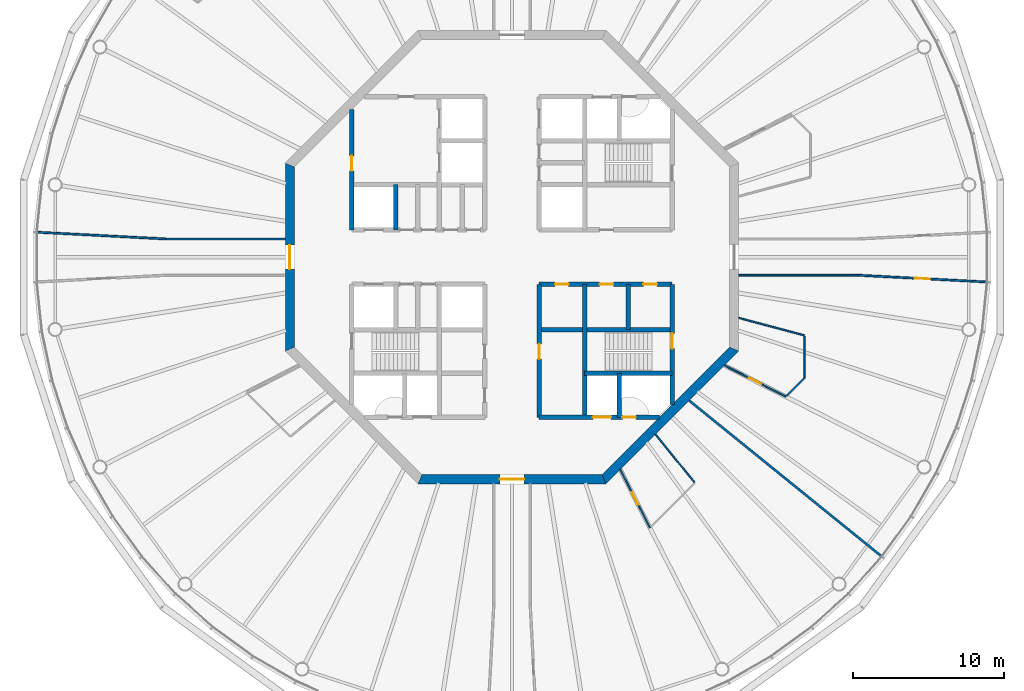
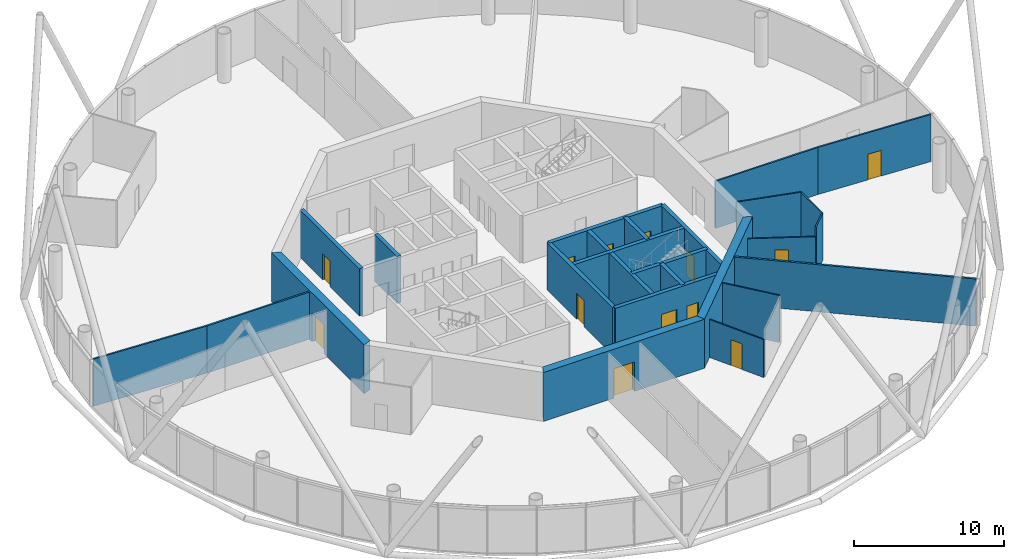
# One storey, part 4 of 13: 25 walls, 13 doors, 13 openings.
"""IFC4 building model written with IfcOpenShell, lengths in metres."""

from ifc_helpers import new_model, si_unit, direction, frame, frame_2d, origin, place, context, subcontext, project, spatial, polyline, rectangle, outline, extrude, material, layer, layer_set, type_object, element, fill, save


model = new_model("IFC4")

# Units and contexts
model_context = context("Model", 3, precision=1e-05, world=origin(), true_north=direction((0.0, 1.0)))
body_context = subcontext(model_context, "Body", "Model", "MODEL_VIEW")
ifc_project = project(units=[si_unit("LENGTHUNIT", "METRE"), si_unit("AREAUNIT", "SQUARE_METRE"), si_unit("VOLUMEUNIT", "CUBIC_METRE"), si_unit("PLANEANGLEUNIT", "RADIAN"), si_unit("MASSUNIT", "GRAM", prefix="KILO")], contexts=[model_context])

# Site, building, storey
site_placement = place(None, origin())
site = spatial("IfcSite", under=ifc_project, at=site_placement, CompositionType="ELEMENT")
building_placement = place(site_placement, origin())
building = spatial("IfcBuilding", under=site, at=building_placement, Name="Entoto Ring Tower", CompositionType="ELEMENT")
storey_placement = place(building_placement, frame((0.0, 0.0, 356.0)))
storey = spatial("IfcBuildingStorey", under=building, at=storey_placement, Name="L82", CompositionType="ELEMENT", Elevation=356.0)

# Wall, opening, door
ifc_material_1 = material(Name="Concrete C40/50", Category="concrete")
ifc_layer_1 = layer(ifc_material_1, 0.300048828125)
ifc_layer_set_1 = layer_set([ifc_layer_1], Name="Concrete C40/50")
wall_type_1 = type_object("IfcWallType", Name="Core enclosure wall 300 mm reinforced concrete", PredefinedType="SOLIDWALL", material=ifc_layer_set_1)
wall_1_placement = place(storey_placement, frame((100.60009765625, 70.2353515625, 0.0), z_axis=(0.0, 0.0, 1.0), x_axis=(0.0, 1.0, 0.0)))
wall_1 = element("IfcWall", 1, at=wall_1_placement, inside=storey, type_object=wall_type_1, Name="wall-L82-001", PredefinedType="SOLIDWALL", context=body_context, shape_type="SweptSolid", body=[
    extrude(rectangle(XDim=7.964599609375, YDim=0.300048828125, at=frame_2d((3.982421875, 0.0))), origin(), (0.0, 0.0, 1.0), 3.85009765625),
])
opening_1_placement = place(wall_1_placement, frame((3.714599609375, 0.0, 0.0)))
opening_1 = element("IfcOpeningElement", 2, at=opening_1_placement, cuts=wall_1, Name="Opening K-28", PredefinedType="OPENING", context=body_context, shape_type="SweptSolid", body=[
    extrude(rectangle(XDim=1.0, YDim=2.10009765625, at=frame_2d((0.5, 1.050048828125))), frame((0.0, 0.16015625, 0.0), z_axis=(0.0, -1.0, 0.0), x_axis=(1.0, 0.0, 0.0)), (0.0, 0.0, 1.0), 0.320068359375),
])
ifc_material_2 = material(Name="Steel door leaf, fire rated", Category="steel")
ifc_layer_2 = layer(ifc_material_2, 0.050048828125)
ifc_layer_set_2 = layer_set([ifc_layer_2], Name="Steel door leaf, fire rated")
door_type_1 = type_object("IfcDoorType", Name="Fire door FD60 1000 x 2100 single leaf", OperationType="NOTDEFINED", PredefinedType="DOOR", material=ifc_layer_set_2)
door_1_placement = place(opening_1_placement, origin())
door_1 = element("IfcDoor", 3, at=door_1_placement, inside=storey, type_object=door_type_1, Name="Door K-28", OperationType="SINGLE_SWING_RIGHT", OverallHeight=2.10009765625, OverallWidth=1.0, PredefinedType="DOOR", context=body_context, shape_type="SweptSolid", body=[
    extrude(rectangle(XDim=1.0, YDim=2.10009765625, at=frame_2d((0.5, 1.050048828125))), frame((0.0, 0.02490234375, 0.0), z_axis=(0.0, -1.0, 0.0), x_axis=(1.0, 0.0, 0.0)), (0.0, 0.0, 1.0), 0.050048828125),
])
fill(opening_1, door_1)

# Walls
wall_2_placement = place(storey_placement, frame((97.699951171875, 75.199951171875, 0.0), z_axis=(0.0, 0.0, 1.0), x_axis=(0.0, 1.0, 0.0)))
element("IfcWall", 4, at=wall_2_placement, inside=storey, type_object=wall_type_1, Name="wall-L82-003", PredefinedType="SOLIDWALL", context=body_context, shape_type="SweptSolid", body=[
    extrude(rectangle(XDim=3.0, YDim=0.300048828125, at=frame_2d((1.5, 0.0))), origin(), (0.0, 0.0, 1.0), 3.85009765625),
])
wall_3_placement = place(storey_placement, frame((97.10009765625, 69.39990234375, 0.0), z_axis=(0.0, 0.0, 1.0), x_axis=(0.0, 1.0, 0.0)))
element("IfcWall", 5, at=wall_3_placement, inside=storey, type_object=wall_type_1, Name="wall-L82-004", PredefinedType="SOLIDWALL", context=body_context, shape_type="SweptSolid", body=[
    extrude(rectangle(XDim=2.900146484375, YDim=0.300048828125, at=frame_2d((1.4501953125, 0.0))), origin(), (0.0, 0.0, 1.0), 3.85009765625),
])
wall_4_placement = place(storey_placement, frame((94.800048828125, 69.39990234375, 0.0), z_axis=(0.0, 0.0, 1.0), x_axis=(0.0, 1.0, 0.0)))
element("IfcWall", 6, at=wall_4_placement, inside=storey, type_object=wall_type_1, Name="wall-L82-006", PredefinedType="SOLIDWALL", context=body_context, shape_type="SweptSolid", body=[
    extrude(rectangle(XDim=8.800048828125, YDim=0.300048828125, at=frame_2d((4.39990234375, 0.0))), origin(), (0.0, 0.0, 1.0), 3.85009765625),
])

# Wall, opening, door
wall_5_placement = place(storey_placement, frame((91.800048828125, 69.39990234375, 0.0), z_axis=(0.0, 0.0, 1.0), x_axis=(0.0, 1.0, 0.0)))
wall_5 = element("IfcWall", 7, at=wall_5_placement, inside=storey, type_object=wall_type_1, Name="wall-L82-008", PredefinedType="SOLIDWALL", context=body_context, shape_type="SweptSolid", body=[
    extrude(rectangle(XDim=8.800048828125, YDim=0.300048828125, at=frame_2d((4.39990234375, 0.0))), origin(), (0.0, 0.0, 1.0), 3.85009765625),
])
opening_2_placement = place(wall_5_placement, frame((3.85009765625, 0.0, 0.0)))
opening_2 = element("IfcOpeningElement", 8, at=opening_2_placement, cuts=wall_5, Name="Opening K-64", PredefinedType="OPENING", context=body_context, shape_type="SweptSolid", body=[
    extrude(rectangle(XDim=1.0, YDim=2.10009765625, at=frame_2d((0.5, 1.050048828125))), frame((0.0, 0.16015625, 0.0), z_axis=(0.0, -1.0, 0.0), x_axis=(1.0, 0.0, 0.0)), (0.0, 0.0, 1.0), 0.320068359375),
])
ifc_material_3 = material(Name="Steel door leaf, fire rated", Category="steel")
ifc_layer_3 = layer(ifc_material_3, 0.050048828125)
ifc_layer_set_3 = layer_set([ifc_layer_3], Name="Steel door leaf, fire rated")
door_type_2 = type_object("IfcDoorType", Name="Accessible door 1000 x 2100 single leaf", OperationType="NOTDEFINED", PredefinedType="DOOR", material=ifc_layer_set_3)
door_2_placement = place(opening_2_placement, frame((1.0, 0.0, 0.0), z_axis=(0.0, 0.0, 1.0), x_axis=(-1.0, 0.0, 0.0)))
door_2 = element("IfcDoor", 9, at=door_2_placement, inside=storey, type_object=door_type_2, Name="Door K-64", OperationType="SINGLE_SWING_LEFT", OverallHeight=2.10009765625, OverallWidth=1.0, PredefinedType="DOOR", context=body_context, shape_type="SweptSolid", body=[
    extrude(rectangle(XDim=1.0, YDim=2.10009765625, at=frame_2d((0.5, 1.050048828125))), frame((0.0, 0.02490234375, 0.0), z_axis=(0.0, -1.0, 0.0), x_axis=(1.0, 0.0, 0.0)), (0.0, 0.0, 1.0), 0.050048828125),
])
fill(opening_2, door_2)

# Wall
wall_6_placement = place(storey_placement, frame((82.300048828125, 81.800048828125, 0.0), z_axis=(0.0, 0.0, 1.0), x_axis=(0.0, 1.0, 0.0)))
element("IfcWall", 10, at=wall_6_placement, inside=storey, type_object=wall_type_1, Name="wall-L82-019", PredefinedType="SOLIDWALL", context=body_context, shape_type="SweptSolid", body=[
    extrude(rectangle(XDim=3.0, YDim=0.300048828125, at=frame_2d((1.5, 0.0))), origin(), (0.0, 0.0, 1.0), 3.85009765625),
])

# Wall, opening, door
wall_7_placement = place(storey_placement, frame((79.39990234375, 81.800048828125, 0.0), z_axis=(0.0, 0.0, 1.0), x_axis=(0.0, 1.0, 0.0)))
wall_7 = element("IfcWall", 11, at=wall_7_placement, inside=storey, type_object=wall_type_1, Name="wall-L82-021", PredefinedType="SOLIDWALL", context=body_context, shape_type="SweptSolid", body=[
    extrude(rectangle(XDim=7.964599609375, YDim=0.300048828125, at=frame_2d((3.982421875, 0.0))), origin(), (0.0, 0.0, 1.0), 3.85009765625),
])
opening_3_placement = place(wall_7_placement, frame((3.89990234375, 0.0, 0.0)))
opening_3 = element("IfcOpeningElement", 12, at=opening_3_placement, cuts=wall_7, Name="Opening K-86", PredefinedType="OPENING", context=body_context, shape_type="SweptSolid", body=[
    extrude(rectangle(XDim=1.0, YDim=2.10009765625, at=frame_2d((0.5, 1.050048828125))), frame((0.0, 0.16015625, 0.0), z_axis=(0.0, -1.0, 0.0), x_axis=(1.0, 0.0, 0.0)), (0.0, 0.0, 1.0), 0.320068359375),
])
door_3_placement = place(opening_3_placement, frame((1.0, 0.0, 0.0), z_axis=(0.0, 0.0, 1.0), x_axis=(-1.0, 0.0, 0.0)))
door_3 = element("IfcDoor", 13, at=door_3_placement, inside=storey, type_object=door_type_1, Name="Door K-86", OperationType="SINGLE_SWING_RIGHT", OverallHeight=2.10009765625, OverallWidth=1.0, PredefinedType="DOOR", context=body_context, shape_type="SweptSolid", body=[
    extrude(rectangle(XDim=1.0, YDim=2.10009765625, at=frame_2d((0.5, 1.050048828125))), frame((0.0, 0.02490234375, 0.0), z_axis=(0.0, -1.0, 0.0), x_axis=(1.0, 0.0, 0.0)), (0.0, 0.0, 1.0), 0.050048828125),
])
fill(opening_3, door_3)

# Wall, openings, doors
wall_8_placement = place(storey_placement, frame((91.800048828125, 69.39990234375, 0.0), z_axis=(0.0, 0.0, 1.0), x_axis=(1.0, 0.0, 0.0)))
wall_8 = element("IfcWall", 14, at=wall_8_placement, inside=storey, type_object=wall_type_1, Name="wall-L82-023", PredefinedType="SOLIDWALL", context=body_context, shape_type="SweptSolid", body=[
    extrude(rectangle(XDim=7.964599609375, YDim=0.300048828125, at=frame_2d((3.982421875, 0.0))), origin(), (0.0, 0.0, 1.0), 3.85009765625),
])
opening_4_placement = place(wall_8_placement, frame((3.550048828125, 0.0, 0.0)))
opening_4 = element("IfcOpeningElement", 15, at=opening_4_placement, cuts=wall_8, Name="Opening LD", PredefinedType="OPENING", context=body_context, shape_type="SweptSolid", body=[
    extrude(rectangle(XDim=1.199951171875, YDim=2.10009765625, at=frame_2d((0.60009765625, 1.050048828125))), frame((0.0, 0.16015625, 0.0), z_axis=(0.0, -1.0, 0.0), x_axis=(1.0, 0.0, 0.0)), (0.0, 0.0, 1.0), 0.320068359375),
])
opening_5_placement = place(wall_8_placement, frame((5.5, 0.0, 0.0)))
opening_5 = element("IfcOpeningElement", 16, at=opening_5_placement, cuts=wall_8, Name="Opening K-85", PredefinedType="OPENING", context=body_context, shape_type="SweptSolid", body=[
    extrude(rectangle(XDim=0.89990234375, YDim=2.10009765625, at=frame_2d((0.449951171875, 1.050048828125))), frame((0.0, 0.16015625, 0.0), z_axis=(0.0, -1.0, 0.0), x_axis=(1.0, 0.0, 0.0)), (0.0, 0.0, 1.0), 0.320068359375),
])
ifc_material_4 = material(Name="Steel and glass door leaf", Category="steel")
ifc_layer_4 = layer(ifc_material_4, 0.050048828125)
ifc_layer_set_4 = layer_set([ifc_layer_4], Name="Steel and glass door leaf")
door_type_3 = type_object("IfcDoorType", Name="Landing door 1200 x 2100 sliding", OperationType="DOUBLE_DOOR_SLIDING", PredefinedType="DOOR", material=ifc_layer_set_4)
door_4_placement = place(opening_4_placement, origin())
door_4 = element("IfcDoor", 17, at=door_4_placement, inside=storey, type_object=door_type_3, Name="Landing door LB2-HR", OperationType="SLIDING_TO_RIGHT", OverallHeight=2.10009765625, OverallWidth=1.199951171875, PredefinedType="DOOR", context=body_context, shape_type="SweptSolid", body=[
    extrude(rectangle(XDim=1.199951171875, YDim=2.10009765625, at=frame_2d((0.60009765625, 1.050048828125))), frame((0.0, 0.02490234375, 0.0), z_axis=(0.0, -1.0, 0.0), x_axis=(1.0, 0.0, 0.0)), (0.0, 0.0, 1.0), 0.050048828125),
])
fill(opening_4, door_4)
ifc_material_5 = material(Name="Steel door leaf, fire rated", Category="steel")
ifc_layer_5 = layer(ifc_material_5, 0.050048828125)
ifc_layer_set_5 = layer_set([ifc_layer_5], Name="Steel door leaf, fire rated")
door_type_4 = type_object("IfcDoorType", Name="Riser door FD60 900 x 2100 single leaf", OperationType="NOTDEFINED", PredefinedType="DOOR", material=ifc_layer_set_5)
door_5_placement = place(opening_5_placement, origin())
door_5 = element("IfcDoor", 18, at=door_5_placement, inside=storey, type_object=door_type_4, Name="Door K-85", OperationType="SINGLE_SWING_LEFT", OverallHeight=2.10009765625, OverallWidth=0.89990234375, PredefinedType="DOOR", context=body_context, shape_type="SweptSolid", body=[
    extrude(rectangle(XDim=0.89990234375, YDim=2.10009765625, at=frame_2d((0.449951171875, 1.050048828125))), frame((0.0, 0.02490234375, 0.0), z_axis=(0.0, -1.0, 0.0), x_axis=(1.0, 0.0, 0.0)), (0.0, 0.0, 1.0), 0.050048828125),
])
fill(opening_5, door_5)

# Walls
wall_9_placement = place(storey_placement, frame((94.800048828125, 72.300048828125, 0.0), z_axis=(0.0, 0.0, 1.0), x_axis=(1.0, 0.0, 0.0)))
element("IfcWall", 19, at=wall_9_placement, inside=storey, type_object=wall_type_1, Name="wall-L82-025", PredefinedType="SOLIDWALL", context=body_context, shape_type="SweptSolid", body=[
    extrude(rectangle(XDim=5.800048828125, YDim=0.300048828125, at=frame_2d((2.89990234375, 0.0))), origin(), (0.0, 0.0, 1.0), 3.85009765625),
])
wall_10_placement = place(storey_placement, frame((91.800048828125, 75.199951171875, 0.0), z_axis=(0.0, 0.0, 1.0), x_axis=(1.0, 0.0, 0.0)))
element("IfcWall", 20, at=wall_10_placement, inside=storey, type_object=wall_type_1, Name="wall-L82-027", PredefinedType="SOLIDWALL", context=body_context, shape_type="SweptSolid", body=[
    extrude(rectangle(XDim=8.800048828125, YDim=0.300048828125, at=frame_2d((4.39990234375, 0.0))), origin(), (0.0, 0.0, 1.0), 3.85009765625),
])

# Wall, openings, doors
wall_11_placement = place(storey_placement, frame((91.800048828125, 78.199951171875, 0.0), z_axis=(0.0, 0.0, 1.0), x_axis=(1.0, 0.0, 0.0)))
wall_11 = element("IfcWall", 21, at=wall_11_placement, inside=storey, type_object=wall_type_1, Name="wall-L82-029", PredefinedType="SOLIDWALL", context=body_context, shape_type="SweptSolid", body=[
    extrude(rectangle(XDim=8.800048828125, YDim=0.300048828125, at=frame_2d((4.39990234375, 0.0))), origin(), (0.0, 0.0, 1.0), 3.85009765625),
])
opening_6_placement = place(wall_11_placement, frame((4.0, 0.0, 0.0)))
opening_6 = element("IfcOpeningElement", 22, at=opening_6_placement, cuts=wall_11, Name="Opening K-14", PredefinedType="OPENING", context=body_context, shape_type="SweptSolid", body=[
    extrude(rectangle(XDim=0.89990234375, YDim=2.10009765625, at=frame_2d((0.449951171875, 1.050048828125))), frame((0.0, 0.16015625, 0.0), z_axis=(0.0, -1.0, 0.0), x_axis=(1.0, 0.0, 0.0)), (0.0, 0.0, 1.0), 0.320068359375),
])
opening_7_placement = place(wall_11_placement, frame((6.89990234375, 0.0, 0.0)))
opening_7 = element("IfcOpeningElement", 23, at=opening_7_placement, cuts=wall_11, Name="Opening K-15", PredefinedType="OPENING", context=body_context, shape_type="SweptSolid", body=[
    extrude(rectangle(XDim=0.89990234375, YDim=2.10009765625, at=frame_2d((0.449951171875, 1.050048828125))), frame((0.0, 0.16015625, 0.0), z_axis=(0.0, -1.0, 0.0), x_axis=(1.0, 0.0, 0.0)), (0.0, 0.0, 1.0), 0.320068359375),
])
opening_8_placement = place(wall_11_placement, frame((1.050048828125, 0.0, 0.0)))
opening_8 = element("IfcOpeningElement", 24, at=opening_8_placement, cuts=wall_11, Name="Opening K-25", PredefinedType="OPENING", context=body_context, shape_type="SweptSolid", body=[
    extrude(rectangle(XDim=0.89990234375, YDim=2.10009765625, at=frame_2d((0.449951171875, 1.050048828125))), frame((0.0, 0.16015625, 0.0), z_axis=(0.0, -1.0, 0.0), x_axis=(1.0, 0.0, 0.0)), (0.0, 0.0, 1.0), 0.320068359375),
])
ifc_material_6 = material(Name="Steel door leaf, fire rated", Category="steel")
ifc_layer_6 = layer(ifc_material_6, 0.050048828125)
ifc_layer_set_6 = layer_set([ifc_layer_6], Name="Steel door leaf, fire rated")
door_type_5 = type_object("IfcDoorType", Name="Core door 900 x 2100 single leaf", OperationType="NOTDEFINED", PredefinedType="DOOR", material=ifc_layer_set_6)
door_6_placement = place(opening_6_placement, frame((0.89990234375, 0.0, 0.0), z_axis=(0.0, 0.0, 1.0), x_axis=(-1.0, 0.0, 0.0)))
door_6 = element("IfcDoor", 25, at=door_6_placement, inside=storey, type_object=door_type_5, Name="Door K-14", OperationType="SINGLE_SWING_RIGHT", OverallHeight=2.10009765625, OverallWidth=0.89990234375, PredefinedType="DOOR", context=body_context, shape_type="SweptSolid", body=[
    extrude(rectangle(XDim=0.89990234375, YDim=2.10009765625, at=frame_2d((0.449951171875, 1.050048828125))), frame((0.0, 0.02490234375, 0.0), z_axis=(0.0, -1.0, 0.0), x_axis=(1.0, 0.0, 0.0)), (0.0, 0.0, 1.0), 0.050048828125),
])
fill(opening_6, door_6)
door_7_placement = place(opening_7_placement, frame((0.89990234375, 0.0, 0.0), z_axis=(0.0, 0.0, 1.0), x_axis=(-1.0, 0.0, 0.0)))
door_7 = element("IfcDoor", 26, at=door_7_placement, inside=storey, type_object=door_type_5, Name="Door K-15", OperationType="SINGLE_SWING_LEFT", OverallHeight=2.10009765625, OverallWidth=0.89990234375, PredefinedType="DOOR", context=body_context, shape_type="SweptSolid", body=[
    extrude(rectangle(XDim=0.89990234375, YDim=2.10009765625, at=frame_2d((0.449951171875, 1.050048828125))), frame((0.0, 0.02490234375, 0.0), z_axis=(0.0, -1.0, 0.0), x_axis=(1.0, 0.0, 0.0)), (0.0, 0.0, 1.0), 0.050048828125),
])
fill(opening_7, door_7)
door_8_placement = place(opening_8_placement, frame((0.89990234375, 0.0, 0.0), z_axis=(0.0, 0.0, 1.0), x_axis=(-1.0, 0.0, 0.0)))
door_8 = element("IfcDoor", 27, at=door_8_placement, inside=storey, type_object=door_type_5, Name="Door K-25", OperationType="SINGLE_SWING_RIGHT", OverallHeight=2.10009765625, OverallWidth=0.89990234375, PredefinedType="DOOR", context=body_context, shape_type="SweptSolid", body=[
    extrude(rectangle(XDim=0.89990234375, YDim=2.10009765625, at=frame_2d((0.449951171875, 1.050048828125))), frame((0.0, 0.02490234375, 0.0), z_axis=(0.0, -1.0, 0.0), x_axis=(1.0, 0.0, 0.0)), (0.0, 0.0, 1.0), 0.050048828125),
])
fill(opening_8, door_8)

# Wall, opening, door
ifc_material_7 = material(Name="Concrete C40/50", Category="concrete")
ifc_layer_7 = layer(ifc_material_7, 0.60009765625)
ifc_layer_set_7 = layer_set([ifc_layer_7], Name="Concrete C40/50")
wall_type_2 = type_object("IfcWallType", Name="Core shear wall 600 mm reinforced concrete C40/50", PredefinedType="SHEAR", material=ifc_layer_set_7)
wall_12_placement = place(storey_placement, frame((75.300048828125, 86.0888671875, 0.0), z_axis=(0.0, 0.0, 1.0), x_axis=(0.0, -1.0, 0.0)))
wall_12 = element("IfcWall", 28, at=wall_12_placement, inside=storey, type_object=wall_type_2, Name="wall-L82-core-4", PredefinedType="SHEAR", context=body_context, shape_type="SweptSolid", body=[
    extrude(outline(polyline([(-0.124267578125, -0.300048828125), (12.302001953125, -0.300048828125), (12.053466796875, 0.300048828125), (0.124267578125, 0.300048828125), (-0.124267578125, -0.300048828125)])), origin(), (0.0, 0.0, 1.0), 4.0),
])
opening_9_placement = place(wall_12_placement, frame((5.288818359375, 0.0, 0.0)))
opening_9 = element("IfcOpeningElement", 29, at=opening_9_placement, cuts=wall_12, Name="Opening K-03", PredefinedType="OPENING", context=body_context, shape_type="SweptSolid", body=[
    extrude(rectangle(XDim=1.60009765625, YDim=2.39990234375, at=frame_2d((0.800048828125, 1.199951171875))), frame((0.0, 0.31005859375, 0.0), z_axis=(0.0, -1.0, 0.0), x_axis=(1.0, 0.0, 0.0)), (0.0, 0.0, 1.0), 0.6201171875),
])
ifc_material_8 = material(Name="Steel door leaf, fire rated", Category="steel")
ifc_layer_8 = layer(ifc_material_8, 0.050048828125)
ifc_layer_set_8 = layer_set([ifc_layer_8], Name="Steel door leaf, fire rated")
door_type_6 = type_object("IfcDoorType", Name="Entrance door FD60 1600 x 2400 double leaf", OperationType="DOUBLE_DOOR_SINGLE_SWING", PredefinedType="DOOR", material=ifc_layer_set_8)
door_9_placement = place(opening_9_placement, origin())
door_9 = element("IfcDoor", 30, at=door_9_placement, inside=storey, type_object=door_type_6, Name="Entrance door K-03", OperationType="DOUBLE_DOOR_SINGLE_SWING", OverallHeight=2.39990234375, OverallWidth=1.60009765625, PredefinedType="DOOR", context=body_context, shape_type="SweptSolid", body=[
    extrude(rectangle(XDim=1.60009765625, YDim=2.39990234375, at=frame_2d((0.800048828125, 1.199951171875))), frame((0.0, 0.02490234375, 0.0), z_axis=(0.0, -1.0, 0.0), x_axis=(1.0, 0.0, 0.0)), (0.0, 0.0, 1.0), 0.050048828125),
])
fill(opening_9, door_9)

wall_13_placement = place(storey_placement, frame((83.9111328125, 65.300048828125, 0.0), z_axis=(0.0, 0.0, 1.0), x_axis=(1.0, 0.0, 0.0)))
wall_13 = element("IfcWall", 31, at=wall_13_placement, inside=storey, type_object=wall_type_2, Name="wall-L82-core-6", PredefinedType="SHEAR", context=body_context, shape_type="SweptSolid", body=[
    extrude(outline(polyline([(-0.124267578125, -0.300048828125), (12.302001953125, -0.300048828125), (12.053466796875, 0.300048828125), (0.124267578125, 0.300048828125), (-0.124267578125, -0.300048828125)])), origin(), (0.0, 0.0, 1.0), 4.0),
])
opening_10_placement = place(wall_13_placement, frame((5.288818359375, 0.0, 0.0)))
opening_10 = element("IfcOpeningElement", 32, at=opening_10_placement, cuts=wall_13, Name="Opening K-04", PredefinedType="OPENING", context=body_context, shape_type="SweptSolid", body=[
    extrude(rectangle(XDim=1.60009765625, YDim=2.39990234375, at=frame_2d((0.800048828125, 1.199951171875))), frame((0.0, 0.31005859375, 0.0), z_axis=(0.0, -1.0, 0.0), x_axis=(1.0, 0.0, 0.0)), (0.0, 0.0, 1.0), 0.6201171875),
])
door_10_placement = place(opening_10_placement, origin())
door_10 = element("IfcDoor", 33, at=door_10_placement, inside=storey, type_object=door_type_6, Name="Entrance door K-04", OperationType="DOUBLE_DOOR_SINGLE_SWING", OverallHeight=2.39990234375, OverallWidth=1.60009765625, PredefinedType="DOOR", context=body_context, shape_type="SweptSolid", body=[
    extrude(rectangle(XDim=1.60009765625, YDim=2.39990234375, at=frame_2d((0.800048828125, 1.199951171875))), frame((0.0, 0.02490234375, 0.0), z_axis=(0.0, -1.0, 0.0), x_axis=(1.0, 0.0, 0.0)), (0.0, 0.0, 1.0), 0.050048828125),
])
fill(opening_10, door_10)

# Walls
wall_14_placement = place(storey_placement, frame((96.0888671875, 65.300048828125, 0.0), z_axis=(0.0, 0.0, 1.0), x_axis=(0.707106781187, 0.707106781187, 0.0)))
element("IfcWall", 34, at=wall_14_placement, inside=storey, type_object=wall_type_2, Name="wall-L82-core-7", PredefinedType="SHEAR", context=body_context, shape_type="SweptSolid", body=[
    extrude(outline(polyline([(-0.124267578125, -0.300048828125), (12.30224609375, -0.300048828125), (12.0537109375, 0.300048828125), (0.124267578125, 0.300048828125), (-0.124267578125, -0.300048828125)])), origin(), (0.0, 0.0, 1.0), 4.0),
])
ifc_material_9 = material(Name="Fire-resisting plasterboard on steel studs", Category="steel")
ifc_layer_9 = layer(ifc_material_9, 0.125)
ifc_layer_set_9 = layer_set([ifc_layer_9], Name="Fire-resisting plasterboard on steel studs")
wall_type_3 = type_object("IfcWallType", Name="Corridor wall 125 mm one-hour plasterboard on steel studs", PredefinedType="PARTITIONING", material=ifc_layer_set_9)
wall_15_placement = place(storey_placement, frame((67.1025390625, 81.199951171875, 0.0), z_axis=(0.0, 0.0, 1.0), x_axis=(-0.998628821692, 0.05234956051, 0.0)))
element("IfcWall", 35, at=wall_15_placement, inside=storey, type_object=wall_type_3, Name="partition-L82-002", PredefinedType="PARTITIONING", context=body_context, shape_type="SweptSolid", body=[
    extrude(rectangle(XDim=8.51123046875, YDim=0.125, at=frame_2d((4.255615234375, 0.0))), origin(), (0.0, 0.0, 1.0), 3.85009765625),
])

# Wall, opening, door
wall_16_placement = place(storey_placement, frame((121.39697265625, 78.3544921875, 0.0), z_axis=(0.0, 0.0, 1.0), x_axis=(-0.998628821692, 0.05234956051, 0.0)))
wall_16 = element("IfcWall", 36, at=wall_16_placement, inside=storey, type_object=wall_type_3, Name="partition-L82-008", PredefinedType="PARTITIONING", context=body_context, shape_type="SweptSolid", body=[
    extrude(rectangle(XDim=8.51123046875, YDim=0.125, at=frame_2d((4.255615234375, 0.0))), origin(), (0.0, 0.0, 1.0), 3.85009765625),
])
opening_11_placement = place(wall_16_placement, frame((3.755615234375, 0.0, 0.0)))
opening_11 = element("IfcOpeningElement", 37, at=opening_11_placement, cuts=wall_16, Name="Opening A35-D10", PredefinedType="OPENING", context=body_context, shape_type="SweptSolid", body=[
    extrude(rectangle(XDim=1.0, YDim=2.10009765625, at=frame_2d((0.5, 1.050048828125))), frame((0.0, 0.072509765625, 0.0), z_axis=(0.0, -1.0, 0.0), x_axis=(1.0, 0.0, 0.0)), (0.0, 0.0, 1.0), 0.14501953125),
])
ifc_material_10 = material(Name="Fire-resisting timber door set", Category="wood")
door_type_7 = type_object("IfcDoorType", Name="Door 1000 x 2100 single leaf FD30S fire door", OperationType="NOTDEFINED", PredefinedType="DOOR", material=ifc_material_10)
door_11_placement = place(opening_11_placement, origin())
door_11 = element("IfcDoor", 38, at=door_11_placement, inside=storey, type_object=door_type_7, Name="Door A35-D10", OperationType="SINGLE_SWING_LEFT", OverallHeight=2.10009765625, OverallWidth=1.0, PredefinedType="DOOR", context=body_context, shape_type="SweptSolid", body=[
    extrude(rectangle(XDim=1.0, YDim=2.10009765625, at=frame_2d((0.5, 1.050048828125))), frame((0.0, 0.02490234375, 0.0), z_axis=(0.0, -1.0, 0.0), x_axis=(1.0, 0.0, 0.0)), (0.0, 0.0, 1.0), 0.050048828125),
])
fill(opening_11, door_11)

# Walls
for number, where, z_axis, x_axis, name in (
    (39, (67.10595703125, 81.199951171875, 0.0), (0.0, 0.0, 1.0), (1.0, 0.0, 0.0), "partition-L82-010"),
    (40, (105.0, 78.800048828125, 0.0), (0.0, 0.0, 1.0), (1.0, 0.0, 0.0), "partition-L82-015"),
):
    element("IfcWall", number, at=place(storey_placement, frame(where, z_axis=z_axis, x_axis=x_axis)), inside=storey, type_object=wall_type_3, Name=name, PredefinedType="PARTITIONING", context=body_context, shape_type="SweptSolid", body=[
        extrude(rectangle(XDim=7.89404296875, YDim=0.125, at=frame_2d((3.947021484375, 0.0))), origin(), (0.0, 0.0, 1.0), 3.85009765625),
    ])
ifc_material_11 = material(Name="Plasterboard on steel studs", Category="steel")
ifc_layer_10 = layer(ifc_material_11, 0.10009765625)
ifc_layer_set_10 = layer_set([ifc_layer_10], Name="Plasterboard on steel studs")
wall_type_4 = type_object("IfcWallType", Name="Partition 100 mm plasterboard on steel studs", PredefinedType="PARTITIONING", material=ifc_layer_set_10)
wall_17_placement = place(storey_placement, frame((109.340087890625, 74.81787109375, 0.0), z_axis=(0.0, 0.0, 1.0), x_axis=(-0.96593034681, 0.258802173699, 0.0)))
element("IfcWall", 41, at=wall_17_placement, inside=storey, type_object=wall_type_4, Name="partition-L82-025", PredefinedType="PARTITIONING", context=body_context, shape_type="SweptSolid", body=[
    extrude(rectangle(XDim=4.4931640625, YDim=0.10009765625, at=frame_2d((2.24658203125, 0.0))), origin(), (0.0, 0.0, 1.0), 3.85009765625),
])
wall_18_placement = place(storey_placement, frame((102.067626953125, 65.09765625, 0.0), z_axis=(0.0, 0.0, 1.0), x_axis=(-0.629332056671, 0.777136514678, 0.0)))
element("IfcWall", 42, at=wall_18_placement, inside=storey, type_object=wall_type_4, Name="partition-L82-028", PredefinedType="PARTITIONING", context=body_context, shape_type="SweptSolid", body=[
    extrude(rectangle(XDim=4.093017578125, YDim=0.10009765625, at=frame_2d((2.04638671875, 0.0))), origin(), (0.0, 0.0, 1.0), 3.85009765625),
])
wall_19_placement = place(storey_placement, frame((109.340087890625, 71.989013671875, 0.0), z_axis=(0.0, 0.0, 1.0), x_axis=(0.0, 1.0, 0.0)))
element("IfcWall", 43, at=wall_19_placement, inside=storey, type_object=wall_type_4, Name="partition-L82-033", PredefinedType="PARTITIONING", context=body_context, shape_type="SweptSolid", body=[
    extrude(rectangle(XDim=2.78076171875, YDim=0.10009765625, at=frame_2d((1.390380859375, 0.0))), origin(), (0.0, 0.0, 1.0), 3.85009765625),
])
wall_20_placement = place(storey_placement, frame((108.15234375, 70.801513671875, 0.0), z_axis=(0.0, 0.0, 1.0), x_axis=(0.707106781187, 0.707106781187, 0.0)))
element("IfcWall", 44, at=wall_20_placement, inside=storey, type_object=wall_type_4, Name="partition-L82-035", PredefinedType="PARTITIONING", context=body_context, shape_type="SweptSolid", body=[
    extrude(rectangle(XDim=1.64453125, YDim=0.10009765625, at=frame_2d((0.822265625, 0.0))), origin(), (0.0, 0.0, 1.0), 3.85009765625),
])

# Wall, opening, door
ifc_material_12 = material(Name="Plasterboard on steel studs", Category="steel")
ifc_layer_11 = layer(ifc_material_12, 0.10009765625)
ifc_layer_set_11 = layer_set([ifc_layer_11], Name="Plasterboard on steel studs")
wall_type_5 = type_object("IfcWallType", Name="Partition 100 mm plasterboard on steel studs, 3097 mm high", PredefinedType="PARTITIONING", material=ifc_layer_set_11)
wall_21_placement = place(storey_placement, frame((108.118896484375, 70.76806640625, 0.0), z_axis=(0.0, 0.0, 1.0), x_axis=(-0.891020306158, 0.453963450087, 0.0)))
wall_21 = element("IfcWall", 45, at=wall_21_placement, inside=storey, type_object=wall_type_5, Name="partition-L82-024", PredefinedType="PARTITIONING", context=body_context, shape_type="SweptSolid", body=[
    extrude(rectangle(XDim=4.563232421875, YDim=0.10009765625, at=frame_2d((2.28173828125, 0.0))), origin(), (0.0, 0.0, 1.0), 3.096923828125),
])
opening_12_placement = place(wall_21_placement, frame((1.831787109375, 0.0, 0.0)))
opening_12 = element("IfcOpeningElement", 46, at=opening_12_placement, cuts=wall_21, Name="Opening A35-D11", PredefinedType="OPENING", context=body_context, shape_type="SweptSolid", body=[
    extrude(rectangle(XDim=0.89990234375, YDim=2.10009765625, at=frame_2d((0.449951171875, 1.050048828125))), frame((0.0, 0.06005859375, 0.0), z_axis=(0.0, -1.0, 0.0), x_axis=(1.0, 0.0, 0.0)), (0.0, 0.0, 1.0), 0.1201171875),
])
ifc_material_13 = material(Name="Veneered timber door leaf in timber frame", Category="wood")
door_type_8 = type_object("IfcDoorType", Name="Door 900 x 2100 single leaf timber veneer", OperationType="NOTDEFINED", PredefinedType="DOOR", material=ifc_material_13)
door_12_placement = place(opening_12_placement, frame((0.89990234375, 0.0, 0.0), z_axis=(0.0, 0.0, 1.0), x_axis=(-1.0, 0.0, 0.0)))
door_12 = element("IfcDoor", 47, at=door_12_placement, inside=storey, type_object=door_type_8, Name="Door A35-D11", OperationType="SINGLE_SWING_LEFT", OverallHeight=2.10009765625, OverallWidth=0.89990234375, PredefinedType="DOOR", context=body_context, shape_type="SweptSolid", body=[
    extrude(rectangle(XDim=0.89990234375, YDim=2.10009765625, at=frame_2d((0.449951171875, 1.050048828125))), frame((0.0, 0.02490234375, 0.0), z_axis=(0.0, -1.0, 0.0), x_axis=(1.0, 0.0, 0.0)), (0.0, 0.0, 1.0), 0.050048828125),
])
fill(opening_12, door_12)

wall_22_placement = place(storey_placement, frame((99.126953125, 62.087158203125, 0.0), z_axis=(0.0, 0.0, 1.0), x_axis=(-0.453963772486, 0.891020141899, 0.0)))
wall_22 = element("IfcWall", 48, at=wall_22_placement, inside=storey, type_object=wall_type_5, Name="partition-L82-026", PredefinedType="PARTITIONING", context=body_context, shape_type="SweptSolid", body=[
    extrude(rectangle(XDim=4.33203125, YDim=0.10009765625, at=frame_2d((2.166015625, 0.0))), origin(), (0.0, 0.0, 1.0), 3.096923828125),
])
opening_13_placement = place(wall_22_placement, frame((1.716064453125, 0.0, 0.0)))
opening_13 = element("IfcOpeningElement", 49, at=opening_13_placement, cuts=wall_22, Name="Opening A35-D09", PredefinedType="OPENING", context=body_context, shape_type="SweptSolid", body=[
    extrude(rectangle(XDim=0.89990234375, YDim=2.10009765625, at=frame_2d((0.449951171875, 1.050048828125))), frame((0.0, 0.06005859375, 0.0), z_axis=(0.0, -1.0, 0.0), x_axis=(1.0, 0.0, 0.0)), (0.0, 0.0, 1.0), 0.1201171875),
])
door_13_placement = place(opening_13_placement, frame((0.89990234375, 0.0, 0.0), z_axis=(0.0, 0.0, 1.0), x_axis=(-1.0, 0.0, 0.0)))
door_13 = element("IfcDoor", 50, at=door_13_placement, inside=storey, type_object=door_type_8, Name="Door A35-D09", OperationType="SINGLE_SWING_RIGHT", OverallHeight=2.10009765625, OverallWidth=0.89990234375, PredefinedType="DOOR", context=body_context, shape_type="SweptSolid", body=[
    extrude(rectangle(XDim=0.89990234375, YDim=2.10009765625, at=frame_2d((0.449951171875, 1.050048828125))), frame((0.0, 0.02490234375, 0.0), z_axis=(0.0, -1.0, 0.0), x_axis=(1.0, 0.0, 0.0)), (0.0, 0.0, 1.0), 0.050048828125),
])
fill(opening_13, door_13)

# Wall
ifc_material_14 = material(Name="Fire-resisting acoustic plasterboard on steel studs", Category="steel")
ifc_layer_12 = layer(ifc_material_14, 0.14990234375)
ifc_layer_set_12 = layer_set([ifc_layer_12], Name="Fire-resisting acoustic plasterboard on steel studs")
wall_type_6 = type_object("IfcWallType", Name="Party wall 150 mm one-hour acoustic plasterboard on steel studs", PredefinedType="PARTITIONING", material=ifc_layer_set_12)
wall_23_placement = place(storey_placement, frame((114.43359375, 60.214111328125, 0.0), z_axis=(0.0, 0.0, 1.0), x_axis=(-0.777143368827, 0.629323592667, 0.0)))
element("IfcWall", 51, at=wall_23_placement, inside=storey, type_object=wall_type_6, Name="partition-L82-017", PredefinedType="PARTITIONING", context=body_context, shape_type="SweptSolid", body=[
    extrude(rectangle(XDim=16.357666015625, YDim=0.14990234375, at=frame_2d((8.1787109375, 0.0))), origin(), (0.0, 0.0, 1.0), 3.85009765625),
])

save(model, "model.ifc")
